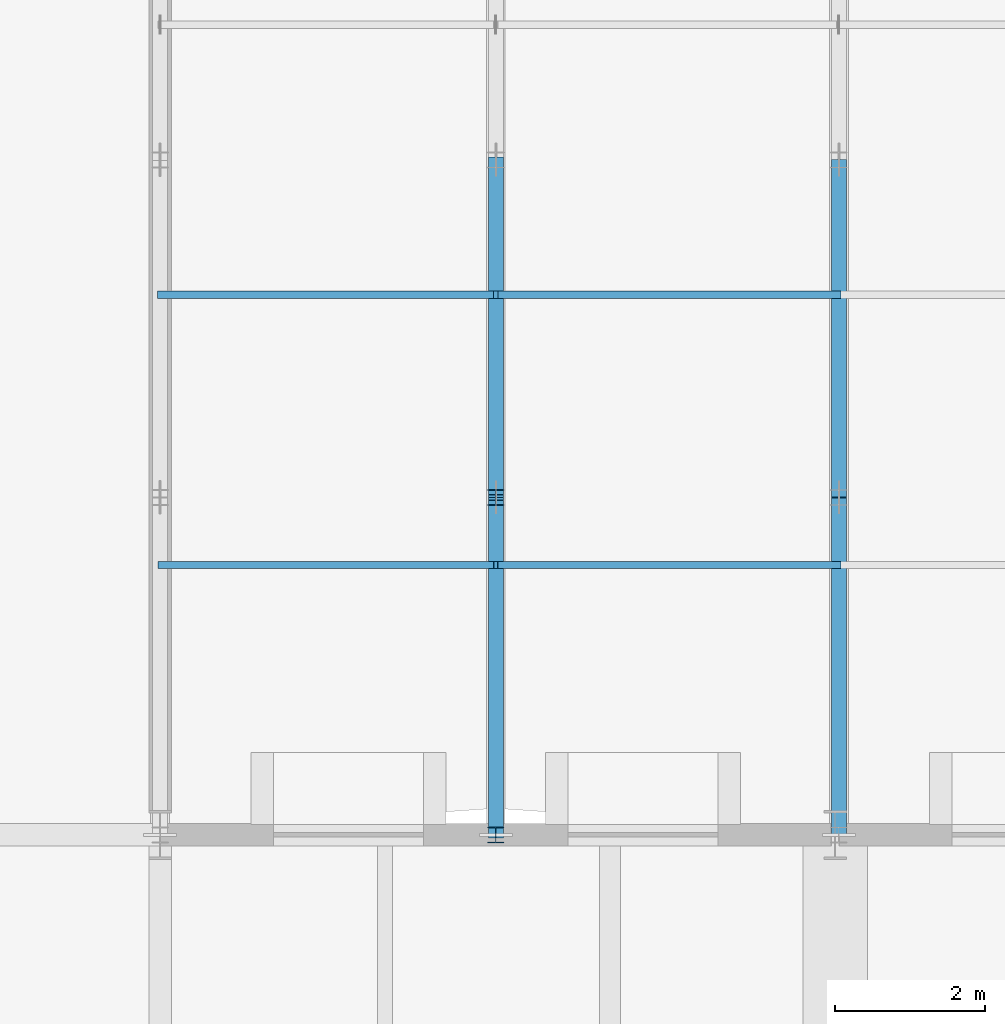
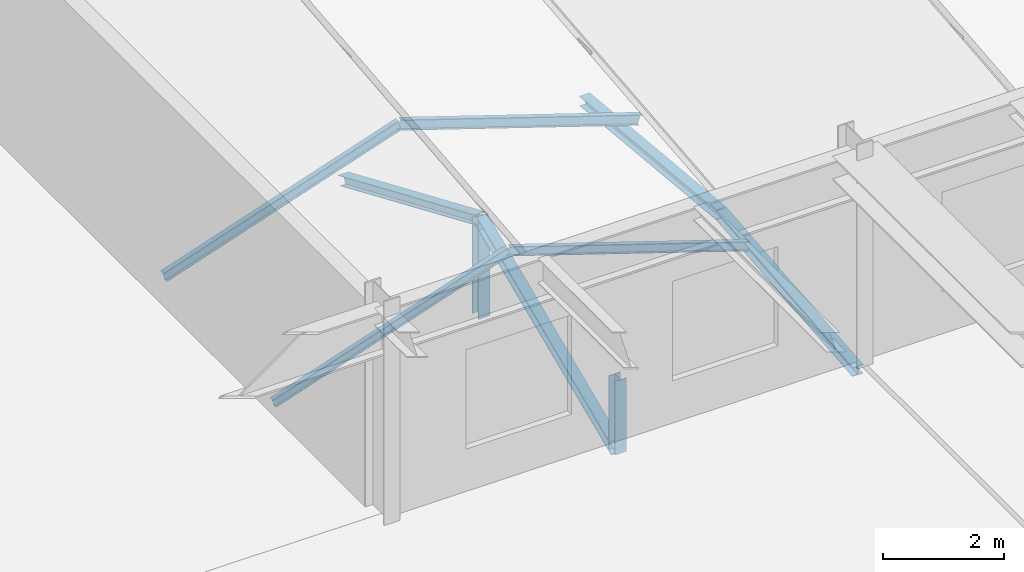
# One storey, part 15 of 142: 10 members.
"""IFC4 building model written with IfcOpenShell, lengths in metres."""

from ifc_helpers import new_model, si_unit, direction, frame, origin, origin_2d, place, context, subcontext, project, spatial, i_section, extrude, material, material_profile, profile_set, type_object, element, save


model = new_model("IFC4")

# Units and contexts
model_context = context("Model", 3, precision=1e-05, world=origin(), true_north=direction((0.0, 1.0)))
body_context = subcontext(model_context, "Body", "Model", "MODEL_VIEW")
ifc_project = project(units=[si_unit("LENGTHUNIT", "METRE"), si_unit("AREAUNIT", "SQUARE_METRE"), si_unit("VOLUMEUNIT", "CUBIC_METRE"), si_unit("PLANEANGLEUNIT", "RADIAN"), si_unit("MASSUNIT", "GRAM", prefix="KILO")], contexts=[model_context])

# Site, building, storey
site_placement = place(None, origin())
site = spatial("IfcSite", under=ifc_project, at=site_placement, CompositionType="ELEMENT")
building_placement = place(site_placement, origin())
building = spatial("IfcBuilding", under=site, at=building_placement, Name="Montelvaro Courts of Justice", CompositionType="ELEMENT")
storey_placement = place(building_placement, frame((0.0, 0.0, 14.39990234375)))
storey = spatial("IfcBuildingStorey", under=building, at=storey_placement, Name="L03", CompositionType="ELEMENT", Elevation=14.39990234375)

# Members
ifc_material = material(Name="Steel S355", Category="steel")
ifc_material_profile_1 = material_profile(ifc_material, i_section(OverallWidth=0.199951171875, OverallDepth=0.18994140625, WebThickness=0.006591796875, FlangeThickness=0.010009765625, at=origin_2d()), Name="HEA 200")
ifc_profile_set_1 = profile_set([ifc_material_profile_1], Name="Steel S355")
member_type_1 = type_object("IfcMemberType", Name="Mem_HEA200_Brace", PredefinedType="BRACE", material=ifc_profile_set_1)
for number, where, z_axis, x_axis, name in (
    (1, (81.050048828125, 24.0, -0.2998046875), (0.0, 0.995467028461, 0.09510728283), (-1.0, 0.0, 0.0), "Roof Truss Web MB-02 ROOF-PASSAGE-S-VTR02-W1"),
    (2, (81.050048828125, 28.5, 0.130126953125), (0.0, 0.995467028461, -0.09510728283), (-1.0, 0.0, 0.0), "Roof Truss Web MB-02 ROOF-PASSAGE-S-VTR02-W2"),
):
    element("IfcMember", number, at=place(storey_placement, frame(where, z_axis=z_axis, x_axis=x_axis)), inside=storey, type_object=member_type_1, Name=name, PredefinedType="BRACE", context=body_context, shape_type="SweptSolid", body=[
        extrude(i_section(OverallWidth=0.199951171875, OverallDepth=0.18994140625, WebThickness=0.006591796875, FlangeThickness=0.010009765625, at=origin_2d()), origin(), (0.0, 0.0, 1.0), 4.5205078125),
    ])
for number, where, z_axis, x_axis, name in (
    (3, (76.47509765625, 24.0, -0.2998046875), (0.0, 0.919044417675, 0.394153977958), (-1.0, 0.0, 0.0), "Roof Truss Web MB-02 ROOF-PASSAGE-S-RTR01-W1"),
    (4, (76.47509765625, 28.5, 1.630126953125), (0.0, 0.919044417675, -0.394153977958), (-1.0, 0.0, 0.0), "Roof Truss Web MB-02 ROOF-PASSAGE-S-RTR01-W2"),
):
    element("IfcMember", number, at=place(storey_placement, frame(where, z_axis=z_axis, x_axis=x_axis)), inside=storey, type_object=member_type_1, Name=name, PredefinedType="BRACE", context=body_context, shape_type="SweptSolid", body=[
        extrude(i_section(OverallWidth=0.199951171875, OverallDepth=0.18994140625, WebThickness=0.006591796875, FlangeThickness=0.010009765625, at=origin_2d()), origin(), (0.0, 0.0, 1.0), 4.896484375),
    ])
ifc_material_profile_2 = material_profile(ifc_material, i_section(OverallWidth=0.219970703125, OverallDepth=0.2099609375, WebThickness=0.007080078125, FlangeThickness=0.010986328125, at=origin_2d()), Name="HEA 220")
ifc_profile_set_2 = profile_set([ifc_material_profile_2], Name="Steel S355")
member_type_2 = type_object("IfcMemberType", Name="Mem_HEA220_Post", PredefinedType="POST", material=ifc_profile_set_2)
member_1_placement = place(storey_placement, frame((76.47509765625, 24.0, -0.2998046875), z_axis=(0.0, 0.0, 1.0), x_axis=(1.0, 0.0, 0.0)))
element("IfcMember", 5, at=member_1_placement, inside=storey, type_object=member_type_2, Name="Roof Truss Post MP-03 ROOF-PASSAGE-S-RTR01-V0", PredefinedType="POST", context=body_context, shape_type="SweptSolid", body=[
    extrude(i_section(OverallWidth=0.219970703125, OverallDepth=0.2099609375, WebThickness=0.007080078125, FlangeThickness=0.010986328125, at=origin_2d()), origin(), (0.0, 0.0, 1.0), 1.47998046875),
])
member_2_placement = place(storey_placement, frame((76.47509765625, 28.5, -0.2998046875), z_axis=(0.0, 0.0, 1.0), x_axis=(1.0, 0.0, 0.0)))
element("IfcMember", 6, at=member_2_placement, inside=storey, type_object=member_type_2, Name="Roof Truss Post MP-03 ROOF-PASSAGE-S-RTR01-V1", PredefinedType="POST", context=body_context, shape_type="SweptSolid", body=[
    extrude(i_section(OverallWidth=0.219970703125, OverallDepth=0.2099609375, WebThickness=0.007080078125, FlangeThickness=0.010986328125, at=origin_2d()), origin(), (0.0, 0.0, 1.0), 1.929931640625),
])
ifc_material_profile_3 = material_profile(ifc_material, i_section(OverallWidth=0.091064453125, OverallDepth=0.179931640625, WebThickness=0.00537109375, FlangeThickness=0.008056640625, at=origin_2d()), Name="IPE 180")
ifc_profile_set_3 = profile_set([ifc_material_profile_3], Name="Steel S355")
member_type_3 = type_object("IfcMemberType", Name="Mem_IPE180_Purlin", PredefinedType="PURLIN", material=ifc_profile_set_3)
member_3_placement = place(storey_placement, frame((72.0, 27.60009765625, 0.0400390625), z_axis=(0.948154363052, 0.0, 0.317810169481), x_axis=(0.0, 1.0, 0.0)))
element("IfcMember", 7, at=member_3_placement, inside=storey, type_object=member_type_3, Name="Roof Purlin MR-01 ROOF-PASSAGE-S-PRL-01-1L", PredefinedType="PURLIN", context=body_context, shape_type="SweptSolid", body=[
    extrude(i_section(OverallWidth=0.091064453125, OverallDepth=0.179931640625, WebThickness=0.00537109375, FlangeThickness=0.008056640625, at=origin_2d()), origin(), (0.0, 0.0, 1.0), 4.7197265625),
])
member_4_placement = place(storey_placement, frame((76.47509765625, 27.60009765625, 1.5400390625), z_axis=(0.950228556575, 0.0, -0.311553671572), x_axis=(0.0, 1.0, 0.0)))
element("IfcMember", 8, at=member_4_placement, inside=storey, type_object=member_type_3, Name="Roof Purlin MR-01 ROOF-PASSAGE-S-PRL-01-1R", PredefinedType="PURLIN", context=body_context, shape_type="SweptSolid", body=[
    extrude(i_section(OverallWidth=0.091064453125, OverallDepth=0.179931640625, WebThickness=0.00537109375, FlangeThickness=0.008056640625, at=origin_2d()), origin(), (0.0, 0.0, 1.0), 4.814697265625),
])
ifc_material_profile_4 = material_profile(ifc_material, i_section(OverallWidth=0.10009765625, OverallDepth=0.199951171875, WebThickness=0.005615234375, FlangeThickness=0.008544921875, at=origin_2d()), Name="IPE 200")
ifc_profile_set_4 = profile_set([ifc_material_profile_4], Name="Steel S355")
member_type_4 = type_object("IfcMemberType", Name="Mem_IPE200_Purlin", PredefinedType="PURLIN", material=ifc_profile_set_4)
member_5_placement = place(storey_placement, frame((72.0, 31.199951171875, 0.400146484375), z_axis=(0.948154363052, 0.0, 0.317810169481), x_axis=(0.0, 1.0, 0.0)))
element("IfcMember", 9, at=member_5_placement, inside=storey, type_object=member_type_4, Name="Roof Purlin MR-02 ROOF-PASSAGE-S-PRL-01-2L", PredefinedType="PURLIN", context=body_context, shape_type="SweptSolid", body=[
    extrude(i_section(OverallWidth=0.10009765625, OverallDepth=0.199951171875, WebThickness=0.005615234375, FlangeThickness=0.008544921875, at=origin_2d()), origin(), (0.0, 0.0, 1.0), 4.7197265625),
])
member_6_placement = place(storey_placement, frame((76.47509765625, 31.199951171875, 1.900146484375), z_axis=(0.950228556575, 0.0, -0.311553671572), x_axis=(0.0, 1.0, 0.0)))
element("IfcMember", 10, at=member_6_placement, inside=storey, type_object=member_type_4, Name="Roof Purlin MR-02 ROOF-PASSAGE-S-PRL-01-2R", PredefinedType="PURLIN", context=body_context, shape_type="SweptSolid", body=[
    extrude(i_section(OverallWidth=0.10009765625, OverallDepth=0.199951171875, WebThickness=0.005615234375, FlangeThickness=0.008544921875, at=origin_2d()), origin(), (0.0, 0.0, 1.0), 4.814697265625),
])

save(model, "model.ifc")
